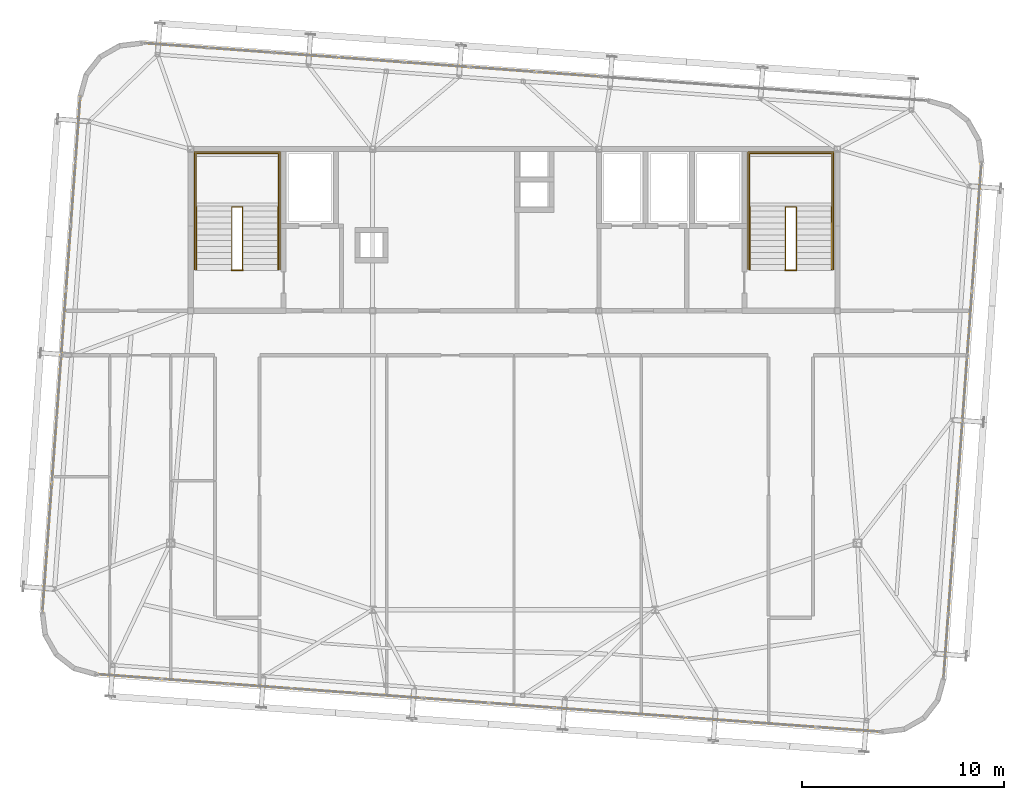
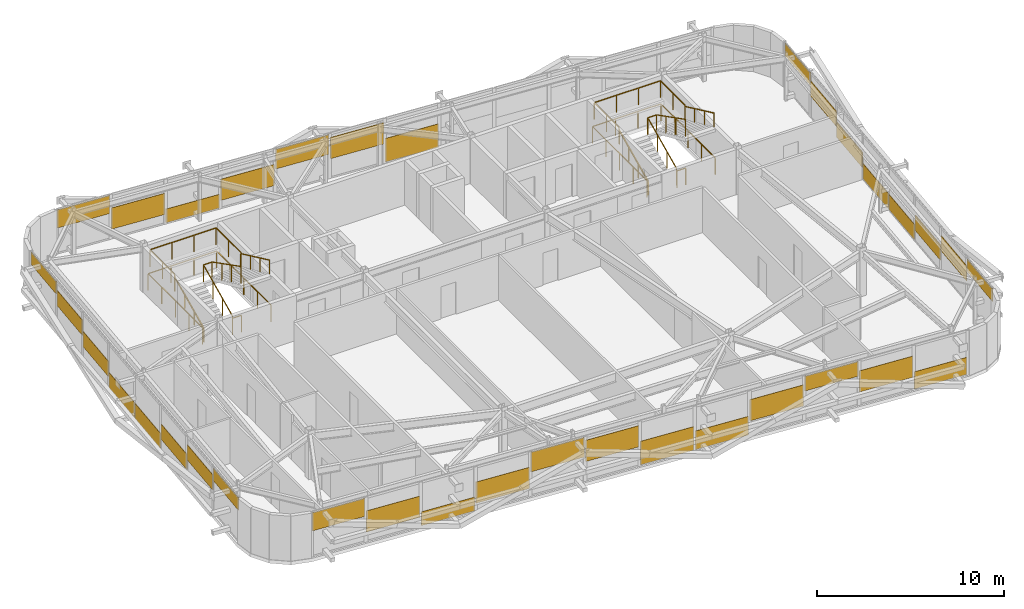
# One storey, part 41 of 42: 35 coverings, 12 railings.
"""IFC4 building model written with IfcOpenShell, lengths in metres."""

from ifc_helpers import new_model, si_unit, direction, frame, origin, origin_2d, place, context, subcontext, project, spatial, rectangle, extrude, source, transform, mapped, material, layer, layer_set, type_object, element, save


model = new_model("IFC4")

# Units and contexts
model_context = context("Model", 3, precision=1e-05, world=origin(), true_north=direction((0.0, 1.0)))
body_context = subcontext(model_context, "Body", "Model", "MODEL_VIEW")
ifc_project = project(units=[si_unit("LENGTHUNIT", "METRE"), si_unit("AREAUNIT", "SQUARE_METRE"), si_unit("VOLUMEUNIT", "CUBIC_METRE"), si_unit("PLANEANGLEUNIT", "RADIAN"), si_unit("MASSUNIT", "GRAM", prefix="KILO")], contexts=[model_context])

# Site, building, storey
site_placement = place(None, origin())
site = spatial("IfcSite", under=ifc_project, at=site_placement, CompositionType="ELEMENT")
building_placement = place(site_placement, origin())
building = spatial("IfcBuilding", under=site, at=building_placement, Name="Taldren Reach Tower", CompositionType="ELEMENT")
storey_placement = place(building_placement, frame((0.0, 0.0, 220.85009765625)))
storey = spatial("IfcBuildingStorey", under=building, at=storey_placement, Name="L67", CompositionType="ELEMENT", Elevation=220.85009765625)

# Railings
ifc_material_1 = material(Name="Steel Gr 350 (C350L0)", Category="steel")
ifc_layer_1 = layer(ifc_material_1, 0.050048828125)
ifc_layer_set_1 = layer_set([ifc_layer_1], Name="Steel Gr 350 (C350L0)")
railing_type_1 = type_object("IfcRailingType", Name="RL-STAIR-GR", PredefinedType="GUARDRAIL", material=ifc_layer_set_1)
railing_1_placement = place(storey_placement, frame((19.260009765625, 29.135009765625, 1.574951171875)))
element("IfcRailing", 1, at=railing_1_placement, inside=storey, type_object=railing_type_1, Name="Stair half-landing perimeter guard ST1-L67", PredefinedType="GUARDRAIL", context=body_context, shape_type="SweptSolid", body=[
    extrude(rectangle(XDim=0.047852, YDim=0.047852, at=origin_2d()), frame((0.0, 0.0, 1.09619140625), z_axis=(0.0, 1.0, 0.0), x_axis=(-1.0, 0.0, 0.0)), (0.0, 0.0, 1.0), 2.64501953125),
    extrude(rectangle(XDim=0.047852, YDim=0.047852, at=origin_2d()), frame((0.0, 2.64501953125, 1.09619140625), z_axis=(1.0, 0.0, 0.0), x_axis=(0.0, 1.0, 0.0)), (0.0, 0.0, 1.0), 4.080078125),
    extrude(rectangle(XDim=0.047852, YDim=0.047852, at=origin_2d()), frame((4.080078125, 2.64501953125, 1.09619140625), z_axis=(0.0, -1.0, 0.0), x_axis=(1.0, 0.0, 0.0)), (0.0, 0.0, 1.0), 2.64501953125),
    extrude(rectangle(XDim=0.041992, YDim=0.041992, at=origin_2d()), origin(), (0.0, 0.0, 1.0), 1.072021484375),
    extrude(rectangle(XDim=0.041992, YDim=0.041992, at=origin_2d()), frame((0.0, 1.322509765625, 0.0)), (0.0, 0.0, 1.0), 1.072021484375),
    extrude(rectangle(XDim=0.041992, YDim=0.041992, at=origin_2d()), frame((0.0, 2.64501953125, 0.0)), (0.0, 0.0, 1.0), 1.072021484375),
    extrude(rectangle(XDim=0.041992, YDim=0.041992, at=origin_2d()), frame((1.360107421875, 2.64501953125, 0.0)), (0.0, 0.0, 1.0), 1.072021484375),
    extrude(rectangle(XDim=0.041992, YDim=0.041992, at=origin_2d()), frame((2.719970703125, 2.64501953125, 0.0)), (0.0, 0.0, 1.0), 1.072021484375),
    extrude(rectangle(XDim=0.041992, YDim=0.041992, at=origin_2d()), frame((4.080078125, 2.64501953125, 0.0)), (0.0, 0.0, 1.0), 1.072021484375),
    extrude(rectangle(XDim=0.041992, YDim=0.041992, at=origin_2d()), frame((4.080078125, 1.322509765625, 0.0)), (0.0, 0.0, 1.0), 1.072021484375),
    extrude(rectangle(XDim=0.041992, YDim=0.041992, at=origin_2d()), frame((4.080078125, 0.0, 0.0)), (0.0, 0.0, 1.0), 1.072021484375),
])
railing_2_placement = place(storey_placement, frame((21.030029296875, 26.050048828125, 0.131103515625)))
element("IfcRailing", 2, at=railing_2_placement, inside=storey, type_object=railing_type_1, Name="Stairwell inner guard ST1-L67", PredefinedType="GUARDRAIL", context=body_context, shape_type="SweptSolid", body=[
    extrude(rectangle(XDim=0.047852, YDim=0.047852, at=origin_2d()), frame((0.0, 0.0, 1.09619140625), z_axis=(0.0, 0.905710134349, 0.423897573167), x_axis=(-1.0, 0.0, 0.0)), (0.0, 0.0, 1.0), 3.406005859375),
    extrude(rectangle(XDim=0.047852, YDim=0.047852, at=origin_2d()), frame((0.0, 3.0849609375, 2.5400390625), z_axis=(1.0, 0.0, 0.0), x_axis=(0.0, 1.0, 0.0)), (0.0, 0.0, 1.0), 0.5400390625),
    extrude(rectangle(XDim=0.047852, YDim=0.047852, at=origin_2d()), frame((0.5400390625, 3.0849609375, 2.5400390625), z_axis=(0.0, -0.890645957773, 0.45469745755), x_axis=(1.0, 0.0, 0.0)), (0.0, 0.0, 1.0), 3.463623046875),
    extrude(rectangle(XDim=0.041992, YDim=0.041992, at=origin_2d()), origin(), (0.0, 0.0, 1.0), 1.072021484375),
    extrude(rectangle(XDim=0.041992, YDim=0.041992, at=origin_2d()), frame((0.0, 1.0283203125, 0.481201171875)), (0.0, 0.0, 1.0), 1.072021484375),
    extrude(rectangle(XDim=0.041992, YDim=0.041992, at=origin_2d()), frame((0.0, 2.056640625, 0.962646484375)), (0.0, 0.0, 1.0), 1.072021484375),
    extrude(rectangle(XDim=0.041992, YDim=0.041992, at=origin_2d()), frame((0.0, 3.0849609375, 1.44384765625)), (0.0, 0.0, 1.0), 1.072021484375),
    extrude(rectangle(XDim=0.041992, YDim=0.041992, at=origin_2d()), frame((0.5400390625, 3.0849609375, 1.44384765625)), (0.0, 0.0, 1.0), 1.072021484375),
    extrude(rectangle(XDim=0.041992, YDim=0.041992, at=origin_2d()), frame((0.5400390625, 2.056640625, 1.96875)), (0.0, 0.0, 1.0), 1.072021484375),
    extrude(rectangle(XDim=0.041992, YDim=0.041992, at=origin_2d()), frame((0.5400390625, 1.0283203125, 2.493896484375)), (0.0, 0.0, 1.0), 1.072021484375),
    extrude(rectangle(XDim=0.041992, YDim=0.041992, at=origin_2d()), frame((0.5400390625, 0.0, 3.018798828125)), (0.0, 0.0, 1.0), 1.072021484375),
])
railing_3_placement = place(storey_placement, frame((21.030029296875, 26.010009765625, 0.0)))
element("IfcRailing", 3, at=railing_3_placement, inside=storey, type_object=railing_type_1, Name="Stairwell landing slot guard ST1-L67", PredefinedType="GUARDRAIL", context=body_context, shape_type="SweptSolid", body=[
    extrude(rectangle(XDim=0.047852, YDim=0.047852, at=origin_2d()), frame((0.0, 0.0, 1.09619140625), z_axis=(1.0, 0.0, 0.0), x_axis=(0.0, 1.0, 0.0)), (0.0, 0.0, 1.0), 0.5400390625),
    extrude(rectangle(XDim=0.041992, YDim=0.041992, at=origin_2d()), origin(), (0.0, 0.0, 1.0), 1.072021484375),
    extrude(rectangle(XDim=0.041992, YDim=0.041992, at=origin_2d()), frame((0.5400390625, 0.0, 0.0)), (0.0, 0.0, 1.0), 1.072021484375),
])
railing_4_placement = place(storey_placement, frame((19.18994140625, 26.050048828125, 0.0)))
element("IfcRailing", 4, at=railing_4_placement, inside=storey, type_object=railing_type_1, Name="Stairwell floor opening guard ST1-L67", PredefinedType="GUARDRAIL", context=body_context, shape_type="SweptSolid", body=[
    extrude(rectangle(XDim=0.047852, YDim=0.047852, at=origin_2d()), frame((0.0, 0.0, 1.09619140625), z_axis=(0.0, 1.0, 0.0), x_axis=(-1.0, 0.0, 0.0)), (0.0, 0.0, 1.0), 5.800048828125),
    extrude(rectangle(XDim=0.047852, YDim=0.047852, at=origin_2d()), frame((0.0, 5.800048828125, 1.09619140625), z_axis=(1.0, 0.0, 0.0), x_axis=(0.0, 1.0, 0.0)), (0.0, 0.0, 1.0), 4.219970703125),
    extrude(rectangle(XDim=0.047852, YDim=0.047852, at=origin_2d()), frame((4.219970703125, 5.800048828125, 1.09619140625), z_axis=(0.0, -1.0, 0.0), x_axis=(1.0, 0.0, 0.0)), (0.0, 0.0, 1.0), 5.800048828125),
    extrude(rectangle(XDim=0.041992, YDim=0.041992, at=origin_2d()), origin(), (0.0, 0.0, 1.0), 1.072021484375),
    extrude(rectangle(XDim=0.041992, YDim=0.041992, at=origin_2d()), frame((0.0, 1.449951171875, 0.0)), (0.0, 0.0, 1.0), 1.072021484375),
    extrude(rectangle(XDim=0.041992, YDim=0.041992, at=origin_2d()), frame((0.0, 2.89990234375, 0.0)), (0.0, 0.0, 1.0), 1.072021484375),
    extrude(rectangle(XDim=0.041992, YDim=0.041992, at=origin_2d()), frame((0.0, 4.35009765625, 0.0)), (0.0, 0.0, 1.0), 1.072021484375),
    extrude(rectangle(XDim=0.041992, YDim=0.041992, at=origin_2d()), frame((0.0, 5.800048828125, 0.0)), (0.0, 0.0, 1.0), 1.072021484375),
    extrude(rectangle(XDim=0.041992, YDim=0.041992, at=origin_2d()), frame((1.40673828125, 5.800048828125, 0.0)), (0.0, 0.0, 1.0), 1.072021484375),
    extrude(rectangle(XDim=0.041992, YDim=0.041992, at=origin_2d()), frame((2.813232421875, 5.800048828125, 0.0)), (0.0, 0.0, 1.0), 1.072021484375),
    extrude(rectangle(XDim=0.041992, YDim=0.041992, at=origin_2d()), frame((4.219970703125, 5.800048828125, 0.0)), (0.0, 0.0, 1.0), 1.072021484375),
    extrude(rectangle(XDim=0.041992, YDim=0.041992, at=origin_2d()), frame((4.219970703125, 4.35009765625, 0.0)), (0.0, 0.0, 1.0), 1.072021484375),
    extrude(rectangle(XDim=0.041992, YDim=0.041992, at=origin_2d()), frame((4.219970703125, 2.89990234375, 0.0)), (0.0, 0.0, 1.0), 1.072021484375),
    extrude(rectangle(XDim=0.041992, YDim=0.041992, at=origin_2d()), frame((4.219970703125, 1.449951171875, 0.0)), (0.0, 0.0, 1.0), 1.072021484375),
    extrude(rectangle(XDim=0.041992, YDim=0.041992, at=origin_2d()), frame((4.219970703125, 0.0, 0.0)), (0.0, 0.0, 1.0), 1.072021484375),
])
railing_5_placement = place(storey_placement, frame((46.659912109375, 29.135009765625, 1.574951171875)))
element("IfcRailing", 5, at=railing_5_placement, inside=storey, type_object=railing_type_1, Name="Stair half-landing perimeter guard ST2-L67", PredefinedType="GUARDRAIL", context=body_context, shape_type="SweptSolid", body=[
    extrude(rectangle(XDim=0.047852, YDim=0.047852, at=origin_2d()), frame((0.0, 0.0, 1.09619140625), z_axis=(0.0, 1.0, 0.0), x_axis=(-1.0, 0.0, 0.0)), (0.0, 0.0, 1.0), 2.64501953125),
    extrude(rectangle(XDim=0.047852, YDim=0.047852, at=origin_2d()), frame((0.0, 2.64501953125, 1.09619140625), z_axis=(1.0, 0.0, 0.0), x_axis=(0.0, 1.0, 0.0)), (0.0, 0.0, 1.0), 4.080078125),
    extrude(rectangle(XDim=0.047852, YDim=0.047852, at=origin_2d()), frame((4.080078125, 2.64501953125, 1.09619140625), z_axis=(0.0, -1.0, 0.0), x_axis=(1.0, 0.0, 0.0)), (0.0, 0.0, 1.0), 2.64501953125),
    extrude(rectangle(XDim=0.041992, YDim=0.041992, at=origin_2d()), origin(), (0.0, 0.0, 1.0), 1.072021484375),
    extrude(rectangle(XDim=0.041992, YDim=0.041992, at=origin_2d()), frame((0.0, 1.322509765625, 0.0)), (0.0, 0.0, 1.0), 1.072021484375),
    extrude(rectangle(XDim=0.041992, YDim=0.041992, at=origin_2d()), frame((0.0, 2.64501953125, 0.0)), (0.0, 0.0, 1.0), 1.072021484375),
    extrude(rectangle(XDim=0.041992, YDim=0.041992, at=origin_2d()), frame((1.360107421875, 2.64501953125, 0.0)), (0.0, 0.0, 1.0), 1.072021484375),
    extrude(rectangle(XDim=0.041992, YDim=0.041992, at=origin_2d()), frame((2.719970703125, 2.64501953125, 0.0)), (0.0, 0.0, 1.0), 1.072021484375),
    extrude(rectangle(XDim=0.041992, YDim=0.041992, at=origin_2d()), frame((4.080078125, 2.64501953125, 0.0)), (0.0, 0.0, 1.0), 1.072021484375),
    extrude(rectangle(XDim=0.041992, YDim=0.041992, at=origin_2d()), frame((4.080078125, 1.322509765625, 0.0)), (0.0, 0.0, 1.0), 1.072021484375),
    extrude(rectangle(XDim=0.041992, YDim=0.041992, at=origin_2d()), frame((4.080078125, 0.0, 0.0)), (0.0, 0.0, 1.0), 1.072021484375),
])
railing_6_placement = place(storey_placement, frame((48.429931640625, 26.050048828125, 0.131103515625)))
element("IfcRailing", 6, at=railing_6_placement, inside=storey, type_object=railing_type_1, Name="Stairwell inner guard ST2-L67", PredefinedType="GUARDRAIL", context=body_context, shape_type="SweptSolid", body=[
    extrude(rectangle(XDim=0.047852, YDim=0.047852, at=origin_2d()), frame((0.0, 0.0, 1.09619140625), z_axis=(0.0, 0.905710134349, 0.423897573167), x_axis=(-1.0, 0.0, 0.0)), (0.0, 0.0, 1.0), 3.406005859375),
    extrude(rectangle(XDim=0.047852, YDim=0.047852, at=origin_2d()), frame((0.0, 3.0849609375, 2.5400390625), z_axis=(1.0, 0.0, 0.0), x_axis=(0.0, 1.0, 0.0)), (0.0, 0.0, 1.0), 0.5400390625),
    extrude(rectangle(XDim=0.047852, YDim=0.047852, at=origin_2d()), frame((0.5400390625, 3.0849609375, 2.5400390625), z_axis=(0.0, -0.890645957773, 0.45469745755), x_axis=(1.0, 0.0, 0.0)), (0.0, 0.0, 1.0), 3.463623046875),
    extrude(rectangle(XDim=0.041992, YDim=0.041992, at=origin_2d()), origin(), (0.0, 0.0, 1.0), 1.072021484375),
    extrude(rectangle(XDim=0.041992, YDim=0.041992, at=origin_2d()), frame((0.0, 1.0283203125, 0.481201171875)), (0.0, 0.0, 1.0), 1.072021484375),
    extrude(rectangle(XDim=0.041992, YDim=0.041992, at=origin_2d()), frame((0.0, 2.056640625, 0.962646484375)), (0.0, 0.0, 1.0), 1.072021484375),
    extrude(rectangle(XDim=0.041992, YDim=0.041992, at=origin_2d()), frame((0.0, 3.0849609375, 1.44384765625)), (0.0, 0.0, 1.0), 1.072021484375),
    extrude(rectangle(XDim=0.041992, YDim=0.041992, at=origin_2d()), frame((0.5400390625, 3.0849609375, 1.44384765625)), (0.0, 0.0, 1.0), 1.072021484375),
    extrude(rectangle(XDim=0.041992, YDim=0.041992, at=origin_2d()), frame((0.5400390625, 2.056640625, 1.96875)), (0.0, 0.0, 1.0), 1.072021484375),
    extrude(rectangle(XDim=0.041992, YDim=0.041992, at=origin_2d()), frame((0.5400390625, 1.0283203125, 2.493896484375)), (0.0, 0.0, 1.0), 1.072021484375),
    extrude(rectangle(XDim=0.041992, YDim=0.041992, at=origin_2d()), frame((0.5400390625, 0.0, 3.018798828125)), (0.0, 0.0, 1.0), 1.072021484375),
])
railing_7_placement = place(storey_placement, frame((48.429931640625, 26.010009765625, 0.0)))
element("IfcRailing", 7, at=railing_7_placement, inside=storey, type_object=railing_type_1, Name="Stairwell landing slot guard ST2-L67", PredefinedType="GUARDRAIL", context=body_context, shape_type="SweptSolid", body=[
    extrude(rectangle(XDim=0.047852, YDim=0.047852, at=origin_2d()), frame((0.0, 0.0, 1.09619140625), z_axis=(1.0, 0.0, 0.0), x_axis=(0.0, 1.0, 0.0)), (0.0, 0.0, 1.0), 0.5400390625),
    extrude(rectangle(XDim=0.041992, YDim=0.041992, at=origin_2d()), origin(), (0.0, 0.0, 1.0), 1.072021484375),
    extrude(rectangle(XDim=0.041992, YDim=0.041992, at=origin_2d()), frame((0.5400390625, 0.0, 0.0)), (0.0, 0.0, 1.0), 1.072021484375),
])
railing_8_placement = place(storey_placement, frame((46.590087890625, 26.050048828125, 0.0)))
element("IfcRailing", 8, at=railing_8_placement, inside=storey, type_object=railing_type_1, Name="Stairwell floor opening guard ST2-L67", PredefinedType="GUARDRAIL", context=body_context, shape_type="SweptSolid", body=[
    extrude(rectangle(XDim=0.047852, YDim=0.047852, at=origin_2d()), frame((0.0, 0.0, 1.09619140625), z_axis=(0.0, 1.0, 0.0), x_axis=(-1.0, 0.0, 0.0)), (0.0, 0.0, 1.0), 5.800048828125),
    extrude(rectangle(XDim=0.047852, YDim=0.047852, at=origin_2d()), frame((0.0, 5.800048828125, 1.09619140625), z_axis=(1.0, 0.0, 0.0), x_axis=(0.0, 1.0, 0.0)), (0.0, 0.0, 1.0), 4.219970703125),
    extrude(rectangle(XDim=0.047852, YDim=0.047852, at=origin_2d()), frame((4.219970703125, 5.800048828125, 1.09619140625), z_axis=(0.0, -1.0, 0.0), x_axis=(1.0, 0.0, 0.0)), (0.0, 0.0, 1.0), 5.800048828125),
    extrude(rectangle(XDim=0.041992, YDim=0.041992, at=origin_2d()), origin(), (0.0, 0.0, 1.0), 1.072021484375),
    extrude(rectangle(XDim=0.041992, YDim=0.041992, at=origin_2d()), frame((0.0, 1.449951171875, 0.0)), (0.0, 0.0, 1.0), 1.072021484375),
    extrude(rectangle(XDim=0.041992, YDim=0.041992, at=origin_2d()), frame((0.0, 2.89990234375, 0.0)), (0.0, 0.0, 1.0), 1.072021484375),
    extrude(rectangle(XDim=0.041992, YDim=0.041992, at=origin_2d()), frame((0.0, 4.35009765625, 0.0)), (0.0, 0.0, 1.0), 1.072021484375),
    extrude(rectangle(XDim=0.041992, YDim=0.041992, at=origin_2d()), frame((0.0, 5.800048828125, 0.0)), (0.0, 0.0, 1.0), 1.072021484375),
    extrude(rectangle(XDim=0.041992, YDim=0.041992, at=origin_2d()), frame((1.40673828125, 5.800048828125, 0.0)), (0.0, 0.0, 1.0), 1.072021484375),
    extrude(rectangle(XDim=0.041992, YDim=0.041992, at=origin_2d()), frame((2.813232421875, 5.800048828125, 0.0)), (0.0, 0.0, 1.0), 1.072021484375),
    extrude(rectangle(XDim=0.041992, YDim=0.041992, at=origin_2d()), frame((4.219970703125, 5.800048828125, 0.0)), (0.0, 0.0, 1.0), 1.072021484375),
    extrude(rectangle(XDim=0.041992, YDim=0.041992, at=origin_2d()), frame((4.219970703125, 4.35009765625, 0.0)), (0.0, 0.0, 1.0), 1.072021484375),
    extrude(rectangle(XDim=0.041992, YDim=0.041992, at=origin_2d()), frame((4.219970703125, 2.89990234375, 0.0)), (0.0, 0.0, 1.0), 1.072021484375),
    extrude(rectangle(XDim=0.041992, YDim=0.041992, at=origin_2d()), frame((4.219970703125, 1.449951171875, 0.0)), (0.0, 0.0, 1.0), 1.072021484375),
    extrude(rectangle(XDim=0.041992, YDim=0.041992, at=origin_2d()), frame((4.219970703125, 0.0, 0.0)), (0.0, 0.0, 1.0), 1.072021484375),
])
ifc_material_2 = material(Name="Stainless Steel Gr 316", Category="steel")
ifc_layer_2 = layer(ifc_material_2, 0.048095703125)
ifc_layer_set_2 = layer_set([ifc_layer_2], Name="Stainless Steel Gr 316")
railing_type_2 = type_object("IfcRailingType", Name="RL-STAIR-HR", PredefinedType="HANDRAIL", material=ifc_layer_set_2)
railing_9_placement = place(storey_placement, frame((19.27001953125, 26.050048828125, 0.131103515625)))
element("IfcRailing", 9, at=railing_9_placement, inside=storey, type_object=railing_type_2, Name="Stair flight handrail ST1-L67-1", PredefinedType="HANDRAIL", context=body_context, shape_type="SweptSolid", body=[
    extrude(rectangle(XDim=0.047852, YDim=0.047852, at=origin_2d()), frame((0.0, 0.0, 0.89599609375), z_axis=(0.0, 0.905710134349, 0.423897573167), x_axis=(-1.0, 0.0, 0.0)), (0.0, 0.0, 1.0), 3.406005859375),
    extrude(rectangle(XDim=0.041992, YDim=0.041992, at=origin_2d()), origin(), (0.0, 0.0, 1.0), 0.871826171875),
    extrude(rectangle(XDim=0.041992, YDim=0.041992, at=origin_2d()), frame((0.0, 1.0283203125, 0.481201171875)), (0.0, 0.0, 1.0), 0.871826171875),
    extrude(rectangle(XDim=0.041992, YDim=0.041992, at=origin_2d()), frame((0.0, 2.056640625, 0.962646484375)), (0.0, 0.0, 1.0), 0.871826171875),
    extrude(rectangle(XDim=0.041992, YDim=0.041992, at=origin_2d()), frame((0.0, 3.0849609375, 1.44384765625)), (0.0, 0.0, 1.0), 0.871826171875),
])
railing_10_placement = place(storey_placement, frame((23.330078125, 29.135009765625, 1.706298828125)))
element("IfcRailing", 10, at=railing_10_placement, inside=storey, type_object=railing_type_2, Name="Stair flight handrail ST1-L67-2", PredefinedType="HANDRAIL", context=body_context, shape_type="SweptSolid", body=[
    extrude(rectangle(XDim=0.047852, YDim=0.047852, at=origin_2d()), frame((0.0, 0.0, 0.89599609375), z_axis=(0.0, -0.905737652094, 0.423838773095), x_axis=(1.0, 0.0, 0.0)), (0.0, 0.0, 1.0), 3.406005859375),
    extrude(rectangle(XDim=0.041992, YDim=0.041992, at=origin_2d()), origin(), (0.0, 0.0, 1.0), 0.871826171875),
    extrude(rectangle(XDim=0.041992, YDim=0.041992, at=origin_2d()), frame((0.0, -1.0283203125, 0.481201171875)), (0.0, 0.0, 1.0), 0.871826171875),
    extrude(rectangle(XDim=0.041992, YDim=0.041992, at=origin_2d()), frame((0.0, -2.056640625, 0.96240234375)), (0.0, 0.0, 1.0), 0.871826171875),
    extrude(rectangle(XDim=0.041992, YDim=0.041992, at=origin_2d()), frame((0.0, -3.0849609375, 1.443603515625)), (0.0, 0.0, 1.0), 0.871826171875),
])
railing_11_placement = place(storey_placement, frame((46.669921875, 26.050048828125, 0.131103515625)))
element("IfcRailing", 11, at=railing_11_placement, inside=storey, type_object=railing_type_2, Name="Stair flight handrail ST2-L67-1", PredefinedType="HANDRAIL", context=body_context, shape_type="SweptSolid", body=[
    extrude(rectangle(XDim=0.047852, YDim=0.047852, at=origin_2d()), frame((0.0, 0.0, 0.89599609375), z_axis=(0.0, 0.905710134349, 0.423897573167), x_axis=(-1.0, 0.0, 0.0)), (0.0, 0.0, 1.0), 3.406005859375),
    extrude(rectangle(XDim=0.041992, YDim=0.041992, at=origin_2d()), origin(), (0.0, 0.0, 1.0), 0.871826171875),
    extrude(rectangle(XDim=0.041992, YDim=0.041992, at=origin_2d()), frame((0.0, 1.0283203125, 0.481201171875)), (0.0, 0.0, 1.0), 0.871826171875),
    extrude(rectangle(XDim=0.041992, YDim=0.041992, at=origin_2d()), frame((0.0, 2.056640625, 0.962646484375)), (0.0, 0.0, 1.0), 0.871826171875),
    extrude(rectangle(XDim=0.041992, YDim=0.041992, at=origin_2d()), frame((0.0, 3.0849609375, 1.44384765625)), (0.0, 0.0, 1.0), 0.871826171875),
])
railing_12_placement = place(storey_placement, frame((50.72998046875, 29.135009765625, 1.706298828125)))
element("IfcRailing", 12, at=railing_12_placement, inside=storey, type_object=railing_type_2, Name="Stair flight handrail ST2-L67-2", PredefinedType="HANDRAIL", context=body_context, shape_type="SweptSolid", body=[
    extrude(rectangle(XDim=0.047852, YDim=0.047852, at=origin_2d()), frame((0.0, 0.0, 0.89599609375), z_axis=(0.0, -0.905737652094, 0.423838773095), x_axis=(1.0, 0.0, 0.0)), (0.0, 0.0, 1.0), 3.406005859375),
    extrude(rectangle(XDim=0.041992, YDim=0.041992, at=origin_2d()), origin(), (0.0, 0.0, 1.0), 0.871826171875),
    extrude(rectangle(XDim=0.041992, YDim=0.041992, at=origin_2d()), frame((0.0, -1.0283203125, 0.481201171875)), (0.0, 0.0, 1.0), 0.871826171875),
    extrude(rectangle(XDim=0.041992, YDim=0.041992, at=origin_2d()), frame((0.0, -2.056640625, 0.96240234375)), (0.0, 0.0, 1.0), 0.871826171875),
    extrude(rectangle(XDim=0.041992, YDim=0.041992, at=origin_2d()), frame((0.0, -3.0849609375, 1.443603515625)), (0.0, 0.0, 1.0), 0.871826171875),
])

# Coverings
ifc_material_3 = material(Name="Pale Champagne Fluoropolymer Aluminium Spandrel Cladding", Category="aluminium")
ifc_layer_3 = layer(ifc_material_3, 0.0439453125)
ifc_layer_set_3 = layer_set([ifc_layer_3], Name="Pale Champagne Fluoropolymer Aluminium Spandrel Cladding")
covering_type = type_object("IfcCoveringType", Name="CV-CLAD-044", PredefinedType="CLADDING", material=ifc_layer_set_3)
shared_shape_1 = source(origin(), body_context, "Body", "SweptSolid", [
    extrude(rectangle(XDim=3.137451171875, YDim=0.0439453125, at=origin_2d()), origin(), (0.0, 0.0, 1.0), 1.1796875),
])
for number, where, z_axis, x_axis, name in (
    (13, (15.94482421875, 5.889892578125, 1.690185546875), (0.0, 0.0, 1.0), (0.997314476006, -0.073238213716, 0.0), "Diagrid closure cladding strip CW-6 panel 1.1 1"),
    (14, (18.238525390625, 37.125732421875, 1.690185546875), (0.0, 0.0, 1.0), (-0.997314476006, 0.073238213716, 0.0), "Diagrid closure cladding strip CW-6 panel 12.1 1"),
):
    element("IfcCovering", number, at=place(storey_placement, frame(where, z_axis=z_axis, x_axis=x_axis)), inside=storey, type_object=covering_type, Name=name, PredefinedType="CLADDING", context=body_context, shape_type="MappedRepresentation", body=[
        mapped(shared_shape_1, transform((0.0, 0.0, 0.0), scale=1.0)),
    ])
shared_shape_2 = source(origin(), body_context, "Body", "SweptSolid", [
    extrude(rectangle(XDim=3.175048828125, YDim=0.0439453125, at=origin_2d()), origin(), (0.0, 0.0, 1.0), 1.383056640625),
])
for number, where, z_axis, x_axis, name in (
    (15, (19.16748046875, 5.653076171875, 0.634765625), (0.0, 0.0, 1.0), (0.997314476006, -0.073238213716, 0.0), "Diagrid closure cladding strip CW-6 panel 2.1 1"),
    (16, (25.64990234375, 5.177001953125, 0.53369140625), (0.0, 0.0, 1.0), (0.997314476006, -0.073238213716, 0.0), "Diagrid closure cladding strip CW-6 panel 4.1 1"),
    (17, (32.132568359375, 4.701171875, 1.271484375), (0.0, 0.0, 1.0), (0.997314476006, -0.073238213716, 0.0), "Diagrid closure cladding strip CW-6 panel 6.1 1"),
    (18, (41.856201171875, 3.987060546875, 0.953125), (0.0, 0.0, 1.0), (0.997314476006, -0.073238213716, 0.0), "Diagrid closure cladding strip CW-6 panel 9.1 1"),
    (19, (48.3388671875, 3.510986328125, 0.85205078125), (0.0, 0.0, 1.0), (0.997314476006, -0.073238213716, 0.0), "Diagrid closure cladding strip CW-6 panel 11.1 1"),
    (20, (34.42626953125, 35.93701171875, 1.271484375), (0.0, 0.0, 1.0), (-0.997314476006, 0.073238213716, 0.0), "Diagrid closure cladding strip CW-6 panel 7.1 1"),
    (21, (27.94384765625, 36.4130859375, 0.53369140625), (0.0, 0.0, 1.0), (-0.997314476006, 0.073238213716, 0.0), "Diagrid closure cladding strip CW-6 panel 9.1 1"),
    (22, (21.461181640625, 36.88916015625, 0.634765625), (0.0, 0.0, 1.0), (-0.997314476006, 0.073238213716, 0.0), "Diagrid closure cladding strip CW-6 panel 11.1 1"),
):
    element("IfcCovering", number, at=place(storey_placement, frame(where, z_axis=z_axis, x_axis=x_axis)), inside=storey, type_object=covering_type, Name=name, PredefinedType="CLADDING", context=body_context, shape_type="MappedRepresentation", body=[
        mapped(shared_shape_2, transform((0.0, 0.0, 0.0), scale=1.0)),
    ])
shared_shape_3 = source(origin(), body_context, "Body", "SweptSolid", [
    extrude(rectangle(XDim=3.175048828125, YDim=0.0439453125, at=origin_2d()), origin(), (0.0, 0.0, 1.0), 0.90185546875),
])
for number, where, z_axis, x_axis, name in (
    (23, (22.40869140625, 5.4150390625, 0.06005859375), (0.0, 0.0, 1.0), (0.997314476006, -0.073238213716, 0.0), "Diagrid closure cladding strip CW-6 panel 3.1 1"),
    (24, (24.702392578125, 36.651123046875, 0.06005859375), (0.0, 0.0, 1.0), (-0.997314476006, 0.073238213716, 0.0), "Diagrid closure cladding strip CW-6 panel 10.1 1"),
):
    element("IfcCovering", number, at=place(storey_placement, frame(where, z_axis=z_axis, x_axis=x_axis)), inside=storey, type_object=covering_type, Name=name, PredefinedType="CLADDING", context=body_context, shape_type="MappedRepresentation", body=[
        mapped(shared_shape_3, transform((0.0, 0.0, 0.0), scale=1.0)),
    ])
shared_shape_4 = source(origin(), body_context, "Body", "SweptSolid", [
    extrude(rectangle(XDim=3.175048828125, YDim=0.0439453125, at=origin_2d()), origin(), (0.0, 0.0, 1.0), 1.2802734375),
])
for number, where, z_axis, x_axis, name in (
    (25, (28.89111328125, 4.939208984375, 1.589599609375), (0.0, 0.0, 1.0), (0.997314476006, -0.073238213716, 0.0), "Diagrid closure cladding strip CW-6 panel 5.1 1"),
    (26, (31.18505859375, 36.175048828125, 1.589599609375), (0.0, 0.0, 1.0), (-0.997314476006, 0.073238213716, 0.0), "Diagrid closure cladding strip CW-6 panel 8.1 1"),
):
    element("IfcCovering", number, at=place(storey_placement, frame(where, z_axis=z_axis, x_axis=x_axis)), inside=storey, type_object=covering_type, Name=name, PredefinedType="CLADDING", context=body_context, shape_type="MappedRepresentation", body=[
        mapped(shared_shape_4, transform((0.0, 0.0, 0.0), scale=1.0)),
    ])
shared_shape_5 = source(origin(), body_context, "Body", "SweptSolid", [
    extrude(rectangle(XDim=3.175048828125, YDim=0.0439453125, at=origin_2d()), origin(), (0.0, 0.0, 1.0), 1.53857421875),
])
for number, where, z_axis, x_axis, name in (
    (27, (35.373779296875, 4.463134765625, 0.06005859375), (0.0, 0.0, 1.0), (0.997314476006, -0.073238213716, 0.0), "Diagrid closure cladding strip CW-6 panel 7.1 1"),
    (28, (37.66748046875, 35.698974609375, 0.06005859375), (0.0, 0.0, 1.0), (-0.997314476006, 0.073238213716, 0.0), "Diagrid closure cladding strip CW-6 panel 6.1 1"),
):
    element("IfcCovering", number, at=place(storey_placement, frame(where, z_axis=z_axis, x_axis=x_axis)), inside=storey, type_object=covering_type, Name=name, PredefinedType="CLADDING", context=body_context, shape_type="MappedRepresentation", body=[
        mapped(shared_shape_5, transform((0.0, 0.0, 0.0), scale=1.0)),
    ])
shared_shape_6 = source(origin(), body_context, "Body", "SweptSolid", [
    extrude(rectangle(XDim=3.175048828125, YDim=0.0439453125, at=origin_2d()), origin(), (0.0, 0.0, 1.0), 1.22021484375),
])
covering_1_placement = place(storey_placement, frame((38.614990234375, 4.22509765625, 0.06005859375), z_axis=(0.0, 0.0, 1.0), x_axis=(0.997314476006, -0.073238213716, 0.0)))
element("IfcCovering", 29, at=covering_1_placement, inside=storey, type_object=covering_type, Name="Diagrid closure cladding strip CW-6 panel 8.1 1", PredefinedType="CLADDING", context=body_context, shape_type="MappedRepresentation", body=[
    mapped(shared_shape_6, transform((0.0, 0.0, 0.0), scale=1.0)),
])
shared_shape_7 = source(origin(), body_context, "Body", "SweptSolid", [
    extrude(rectangle(XDim=3.175048828125, YDim=0.0439453125, at=origin_2d()), origin(), (0.0, 0.0, 1.0), 0.9619140625),
])
covering_2_placement = place(storey_placement, frame((45.09765625, 3.7490234375, 1.907958984375), z_axis=(0.0, 0.0, 1.0), x_axis=(0.997314476006, -0.073238213716, 0.0)))
element("IfcCovering", 30, at=covering_2_placement, inside=storey, type_object=covering_type, Name="Diagrid closure cladding strip CW-6 panel 10.1 1", PredefinedType="CLADDING", context=body_context, shape_type="MappedRepresentation", body=[
    mapped(shared_shape_7, transform((0.0, 0.0, 0.0), scale=1.0)),
])
shared_shape_8 = source(origin(), body_context, "Body", "SweptSolid", [
    extrude(rectangle(XDim=3.137451171875, YDim=0.0439453125, at=origin_2d()), origin(), (0.0, 0.0, 1.0), 1.11962890625),
])
covering_3_placement = place(storey_placement, frame((51.561279296875, 3.2744140625, 0.059814453125), z_axis=(0.0, 0.0, 1.0), x_axis=(0.997314476006, -0.073238213716, 0.0)))
element("IfcCovering", 31, at=covering_3_placement, inside=storey, type_object=covering_type, Name="Diagrid closure cladding strip CW-6 panel 12.1 1", PredefinedType="CLADDING", context=body_context, shape_type="MappedRepresentation", body=[
    mapped(shared_shape_8, transform((0.0, 0.0, 0.0), scale=1.0)),
])
shared_shape_9 = source(origin(), body_context, "Body", "SweptSolid", [
    extrude(rectangle(XDim=3.08740234375, YDim=0.0439453125, at=origin_2d()), origin(), (0.0, 0.0, 1.0), 0.80224609375),
])
for number, where, z_axis, x_axis, name in (
    (32, (13.4189453125, 32.98876953125, 2.067626953125), (0.0, 0.0, 1.0), (-0.073238282558, -0.997314470951, 0.0), "Diagrid closure cladding strip CW-6 panel 1.1 1"),
    (33, (11.78125, 10.686279296875, 2.067626953125), (0.0, 0.0, 1.0), (-0.073238282558, -0.997314470951, 0.0), "Diagrid closure cladding strip CW-6 panel 8.1 1"),
    (34, (56.381103515625, 7.4111328125, 2.067626953125), (0.0, 0.0, 1.0), (0.073238282558, 0.997314470951, 0.0), "Diagrid closure cladding strip CW-6 panel 1.1 1"),
    (35, (58.018798828125, 29.713623046875, 2.067626953125), (0.0, 0.0, 1.0), (0.073238282558, 0.997314470951, 0.0), "Diagrid closure cladding strip CW-6 panel 8.1 1"),
):
    element("IfcCovering", number, at=place(storey_placement, frame(where, z_axis=z_axis, x_axis=x_axis)), inside=storey, type_object=covering_type, Name=name, PredefinedType="CLADDING", context=body_context, shape_type="MappedRepresentation", body=[
        mapped(shared_shape_9, transform((0.0, 0.0, 0.0), scale=1.0)),
    ])
shared_shape_10 = source(origin(), body_context, "Body", "SweptSolid", [
    extrude(rectangle(XDim=3.125, YDim=0.0439453125, at=origin_2d()), origin(), (0.0, 0.0, 1.0), 0.99658203125),
])
for number, where, z_axis, x_axis, name in (
    (36, (13.18603515625, 29.816162109375, 1.3974609375), (0.0, 0.0, 1.0), (-0.073238282558, -0.997314470951, 0.0), "Diagrid closure cladding strip CW-6 panel 2.1 1"),
    (37, (12.95166015625, 26.624755859375, 0.72705078125), (0.0, 0.0, 1.0), (-0.073238282558, -0.997314470951, 0.0), "Diagrid closure cladding strip CW-6 panel 3.1 1"),
    (38, (12.24853515625, 17.050537109375, 0.72705078125), (0.0, 0.0, 1.0), (-0.073238282558, -0.997314470951, 0.0), "Diagrid closure cladding strip CW-6 panel 6.1 1"),
    (39, (12.01416015625, 13.859130859375, 1.3974609375), (0.0, 0.0, 1.0), (-0.073238282558, -0.997314470951, 0.0), "Diagrid closure cladding strip CW-6 panel 7.1 1"),
    (40, (56.614013671875, 10.583984375, 1.3974609375), (0.0, 0.0, 1.0), (0.073238282558, 0.997314470951, 0.0), "Diagrid closure cladding strip CW-6 panel 2.1 1"),
    (41, (56.848388671875, 13.775390625, 0.72705078125), (0.0, 0.0, 1.0), (0.073238282558, 0.997314470951, 0.0), "Diagrid closure cladding strip CW-6 panel 3.1 1"),
    (42, (57.551513671875, 23.349609375, 0.72705078125), (0.0, 0.0, 1.0), (0.073238282558, 0.997314470951, 0.0), "Diagrid closure cladding strip CW-6 panel 6.1 1"),
    (43, (57.785888671875, 26.541015625, 1.3974609375), (0.0, 0.0, 1.0), (0.073238282558, 0.997314470951, 0.0), "Diagrid closure cladding strip CW-6 panel 7.1 1"),
):
    element("IfcCovering", number, at=place(storey_placement, frame(where, z_axis=z_axis, x_axis=x_axis)), inside=storey, type_object=covering_type, Name=name, PredefinedType="CLADDING", context=body_context, shape_type="MappedRepresentation", body=[
        mapped(shared_shape_10, transform((0.0, 0.0, 0.0), scale=1.0)),
    ])
shared_shape_11 = source(origin(), body_context, "Body", "SweptSolid", [
    extrude(rectangle(XDim=3.125, YDim=0.0439453125, at=origin_2d()), origin(), (0.0, 0.0, 1.0), 0.993408203125),
])
for number, where, z_axis, x_axis, name in (
    (44, (12.71728515625, 23.433349609375, 0.06005859375), (0.0, 0.0, 1.0), (-0.073238282558, -0.997314470951, 0.0), "Diagrid closure cladding strip CW-6 panel 4.1 1"),
    (45, (12.48291015625, 20.241943359375, 0.06005859375), (0.0, 0.0, 1.0), (-0.073238282558, -0.997314470951, 0.0), "Diagrid closure cladding strip CW-6 panel 5.1 1"),
    (46, (57.082763671875, 16.966796875, 0.06005859375), (0.0, 0.0, 1.0), (0.073238282558, 0.997314470951, 0.0), "Diagrid closure cladding strip CW-6 panel 4.1 1"),
    (47, (57.317138671875, 20.158203125, 0.06005859375), (0.0, 0.0, 1.0), (0.073238282558, 0.997314470951, 0.0), "Diagrid closure cladding strip CW-6 panel 5.1 1"),
):
    element("IfcCovering", number, at=place(storey_placement, frame(where, z_axis=z_axis, x_axis=x_axis)), inside=storey, type_object=covering_type, Name=name, PredefinedType="CLADDING", context=body_context, shape_type="MappedRepresentation", body=[
        mapped(shared_shape_11, transform((0.0, 0.0, 0.0), scale=1.0)),
    ])

save(model, "model.ifc")
